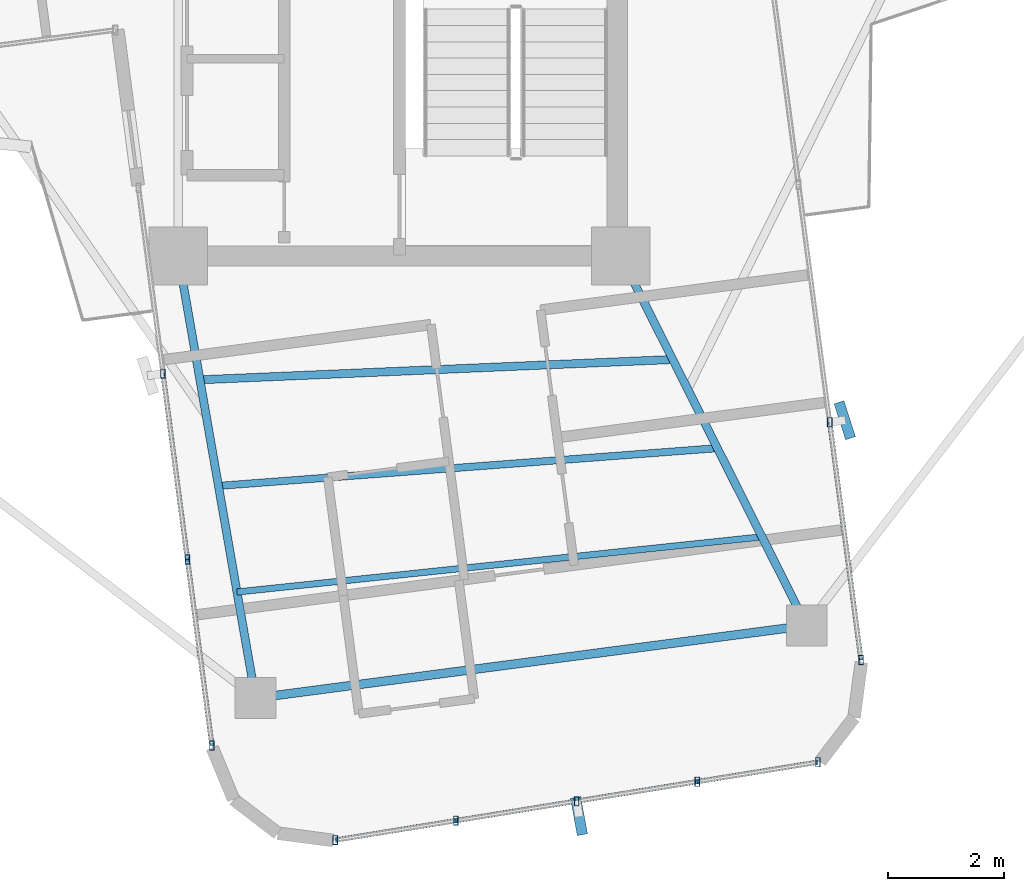
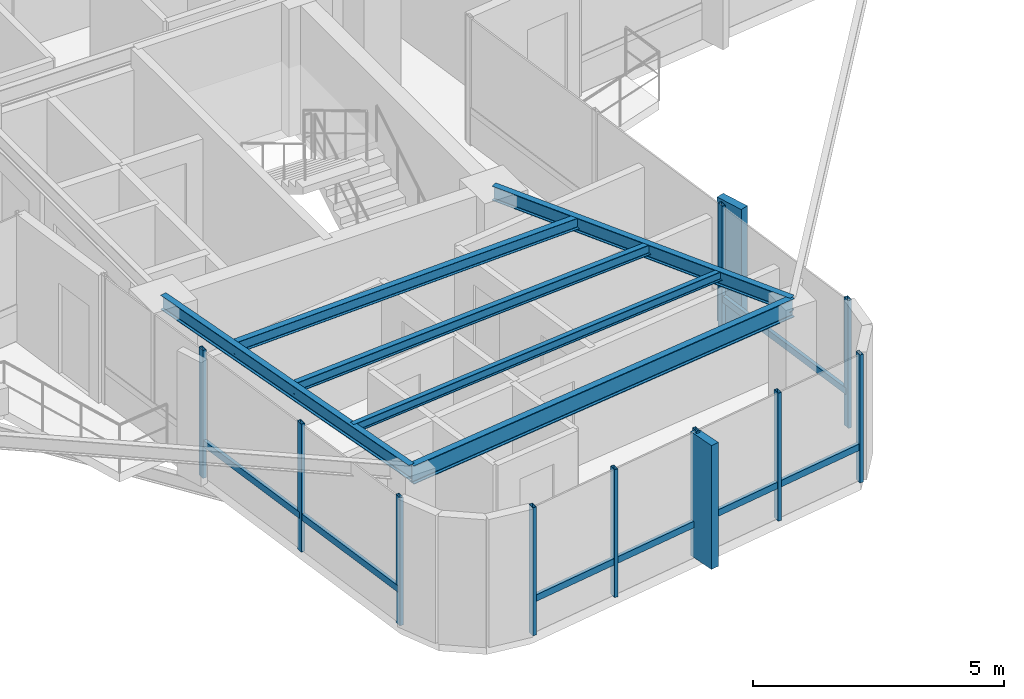
# One storey, part 4 of 22: 19 members, 6 beams, 3 elements without a shape of their own.
"""IFC4 building model written with IfcOpenShell, lengths in metres."""

from ifc_helpers import new_model, si_unit, direction, frame, origin, origin_2d, place, context, subcontext, project, spatial, rectangle, hollow_rectangle, i_section, extrude, source, transform, mapped, material, material_profile, profile_set, type_object, element, aggregate, save


model = new_model("IFC4")

# Units and contexts
model_context = context("Model", 3, precision=1e-05, world=origin(), true_north=direction((0.0, 1.0)))
body_context = subcontext(model_context, "Body", "Model", "MODEL_VIEW")
ifc_project = project(units=[si_unit("LENGTHUNIT", "METRE"), si_unit("AREAUNIT", "SQUARE_METRE"), si_unit("VOLUMEUNIT", "CUBIC_METRE"), si_unit("PLANEANGLEUNIT", "RADIAN"), si_unit("MASSUNIT", "GRAM", prefix="KILO")], contexts=[model_context])

# Site, building, storey
site_placement = place(None, origin())
site = spatial("IfcSite", under=ifc_project, at=site_placement, CompositionType="ELEMENT")
building_placement = place(site_placement, origin())
building = spatial("IfcBuilding", under=site, at=building_placement, Name="Sahyath Konkavel Grand Hotel", CompositionType="ELEMENT")
storey_placement = place(building_placement, frame((0.0, 0.0, 237.800048828125)))
storey = spatial("IfcBuildingStorey", under=building, at=storey_placement, Name="L66", CompositionType="ELEMENT", Elevation=237.800048828125)

# Beams
ifc_material_1 = material(Name="Steel E350", Category="steel")
ifc_material_profile_1 = material_profile(ifc_material_1, i_section(OverallWidth=0.139892578125, OverallDepth=0.35009765625, WebThickness=0.008056640625, FlangeThickness=0.01416015625, FilletRadius=0.013916015625, at=origin_2d()), Name="ISMB 350")
ifc_profile_set_1 = profile_set([ifc_material_profile_1], Name="Steel E350")
beam_type_1 = type_object("IfcBeamType", Name="BM-ISMB350", PredefinedType="BEAM", material=ifc_profile_set_1)
shared_shape_1 = source(origin(), body_context, "Body", "SweptSolid", [
    extrude(i_section(OverallWidth=0.139892578125, OverallDepth=0.35009765625, WebThickness=0.008056640625, FlangeThickness=0.01416015625, FilletRadius=0.013916015625, at=origin_2d()), origin(), (0.0, 0.0, 1.0), 7.710205078125),
])
beam_1_placement = place(storey_placement, frame((-3.800048828125, -10.199951171875, 2.93505859375), z_axis=(0.172065405207, -0.985085527419, 0.0), x_axis=(0.985085527419, 0.172065405207, 0.0)))
element("IfcBeam", 1, at=beam_1_placement, inside=storey, type_object=beam_type_1, Name="L66 Cruciform Radial Girder SA", PredefinedType="BEAM", context=body_context, shape_type="MappedRepresentation", body=[
    mapped(shared_shape_1, transform((0.0, 0.0, 0.0), scale=1.0)),
])
shared_shape_2 = source(origin(), body_context, "Body", "SweptSolid", [
    extrude(i_section(OverallWidth=0.139892578125, OverallDepth=0.35009765625, WebThickness=0.008056640625, FlangeThickness=0.01416015625, FilletRadius=0.013916015625, at=origin_2d()), origin(), (0.0, 0.0, 1.0), 7.107177734375),
])
beam_2_placement = place(storey_placement, frame((3.800048828125, -10.199951171875, 2.93505859375), z_axis=(0.449520510343, -0.893270010008, 0.0), x_axis=(0.893270010008, 0.449520510343, 0.0)))
element("IfcBeam", 2, at=beam_2_placement, inside=storey, type_object=beam_type_1, Name="L66 Cruciform Radial Girder SB", PredefinedType="BEAM", context=body_context, shape_type="MappedRepresentation", body=[
    mapped(shared_shape_2, transform((0.0, 0.0, 0.0), scale=1.0)),
])
ifc_material_profile_2 = material_profile(ifc_material_1, i_section(OverallWidth=0.14990234375, OverallDepth=0.449951171875, WebThickness=0.009521484375, FlangeThickness=0.017333984375, FilletRadius=0.014892578125, at=origin_2d()), Name="ISMB 450")
ifc_profile_set_2 = profile_set([ifc_material_profile_2], Name="Steel E350")
beam_type_2 = type_object("IfcBeamType", Name="BM-ISMB450", PredefinedType="BEAM", material=ifc_profile_set_2)
shared_shape_3 = source(origin(), body_context, "Body", "SweptSolid", [
    extrude(i_section(OverallWidth=0.14990234375, OverallDepth=0.449951171875, WebThickness=0.009521484375, FlangeThickness=0.017333984375, FilletRadius=0.014892578125, at=origin_2d()), origin(), (0.0, 0.0, 1.0), 9.550048828125),
])
beam_3_placement = place(storey_placement, frame((-2.473388671875, -17.795166015625, 2.885009765625), z_axis=(0.991444024889, 0.130532545797, 0.0), x_axis=(-0.130532545797, 0.991444024889, 0.0)))
element("IfcBeam", 3, at=beam_3_placement, inside=storey, type_object=beam_type_2, Name="L66 Wing Tip Edge Beam S", PredefinedType="BEAM", context=body_context, shape_type="MappedRepresentation", body=[
    mapped(shared_shape_3, transform((0.0, 0.0, 0.0), scale=1.0)),
])
ifc_material_profile_3 = material_profile(ifc_material_1, i_section(OverallWidth=0.139892578125, OverallDepth=0.27490234375, WebThickness=0.00634765625, FlangeThickness=0.0087890625, FilletRadius=0.012939453125, at=origin_2d()), Name="ISLB 275")
ifc_profile_set_3 = profile_set([ifc_material_profile_3], Name="Steel E350")
beam_type_3 = type_object("IfcBeamType", Name="BM-ISLB275", PredefinedType="BEAM", material=ifc_profile_set_3)
shared_shape_4 = source(origin(), body_context, "Body", "SweptSolid", [
    extrude(i_section(OverallWidth=0.139892578125, OverallDepth=0.27490234375, WebThickness=0.00634765625, FlangeThickness=0.0087890625, FilletRadius=0.012939453125, at=origin_2d()), origin(), (0.0, 0.0, 1.0), 8.130859375),
])
beam_4_placement = place(storey_placement, frame((-3.4287109375, -12.32666015625, 2.972412109375), z_axis=(0.999077732229, 0.042938152769, 0.0), x_axis=(-0.042938152769, 0.999077732229, 0.0)))
element("IfcBeam", 4, at=beam_4_placement, inside=storey, type_object=beam_type_3, Name="L66 Secondary Floor Beam S-1", PredefinedType="BEAM", context=body_context, shape_type="MappedRepresentation", body=[
    mapped(shared_shape_4, transform((0.0, 0.0, 0.0), scale=1.0)),
])
ifc_material_profile_4 = material_profile(ifc_material_1, i_section(OverallWidth=0.125, OverallDepth=0.25, WebThickness=0.0068359375, FlangeThickness=0.012451171875, FilletRadius=0.012939453125, at=origin_2d()), Name="ISMB 250")
ifc_profile_set_4 = profile_set([ifc_material_profile_4], Name="Steel E350")
beam_type_4 = type_object("IfcBeamType", Name="BM-ISMB250", PredefinedType="BEAM", material=ifc_profile_set_4)
shared_shape_5 = source(origin(), body_context, "Body", "SweptSolid", [
    extrude(i_section(OverallWidth=0.125, OverallDepth=0.25, WebThickness=0.0068359375, FlangeThickness=0.012451171875, FilletRadius=0.012939453125, at=origin_2d()), origin(), (0.0, 0.0, 1.0), 8.595703125),
])
beam_5_placement = place(storey_placement, frame((-3.110107421875, -14.1494140625, 2.98486328125), z_axis=(0.997152728002, 0.075408467952, 0.0), x_axis=(-0.075408467952, 0.997152728002, 0.0)))
element("IfcBeam", 5, at=beam_5_placement, inside=storey, type_object=beam_type_4, Name="L66 Secondary Floor Beam S-2", PredefinedType="BEAM", context=body_context, shape_type="MappedRepresentation", body=[
    mapped(shared_shape_5, transform((0.0, 0.0, 0.0), scale=1.0)),
])
ifc_material_profile_5 = material_profile(ifc_material_1, i_section(OverallWidth=0.110107421875, OverallDepth=0.22509765625, WebThickness=0.006591796875, FlangeThickness=0.01171875, FilletRadius=0.011962890625, at=origin_2d()), Name="ISMB 225")
ifc_profile_set_5 = profile_set([ifc_material_profile_5], Name="Steel E350")
beam_type_5 = type_object("IfcBeamType", Name="BM-ISMB225", PredefinedType="BEAM", material=ifc_profile_set_5)
shared_shape_6 = source(origin(), body_context, "Body", "SweptSolid", [
    extrude(i_section(OverallWidth=0.110107421875, OverallDepth=0.22509765625, WebThickness=0.006591796875, FlangeThickness=0.01171875, FilletRadius=0.011962890625, at=origin_2d()), origin(), (0.0, 0.0, 1.0), 9.0693359375),
])
beam_6_placement = place(storey_placement, frame((-2.791748046875, -15.972412109375, 2.99755859375), z_axis=(0.994527703237, 0.104473190317, 0.0), x_axis=(-0.104473190317, 0.994527703237, 0.0)))
element("IfcBeam", 6, at=beam_6_placement, inside=storey, type_object=beam_type_5, Name="L66 Secondary Floor Beam S-3", PredefinedType="BEAM", context=body_context, shape_type="MappedRepresentation", body=[
    mapped(shared_shape_6, transform((0.0, 0.0, 0.0), scale=1.0)),
])

# Curtain wall, members
ifc_material_2 = material(Name="Anodised Bronze Aluminium & Low-E Glazing", Category="aluminium")
curtain_wall_type = type_object("IfcCurtainWallType", Name="CW-ZONE4", PredefinedType="NOTDEFINED", material=ifc_material_2)
curtain_wall_1_placement = place(storey_placement, origin())
curtain_wall_1 = element("IfcCurtainWall", 7, at=curtain_wall_1_placement, inside=storey, type_object=curtain_wall_type, Name="L66 Unitised Curtain Wall F24", PredefinedType="NOTDEFINED")
ifc_material_3 = material(Name="Anodised Bronze Aluminium", Category="aluminium")
ifc_material_profile_6 = material_profile(ifc_material_3, hollow_rectangle(XDim=0.080078125, YDim=0.159912109375, WallThickness=0.006103515625, at=origin_2d()), Name="RHS 160x80x6")
ifc_profile_set_6 = profile_set([ifc_material_profile_6], Name="Anodised Bronze Aluminium")
member_type_1 = type_object("IfcMemberType", Name="CW-MUL-160", PredefinedType="MULLION", material=ifc_profile_set_6)
shared_shape_7 = source(origin(), body_context, "Body", "SweptSolid", [
    extrude(hollow_rectangle(XDim=0.080078125, YDim=0.159912109375, WallThickness=0.006103515625, at=origin_2d()), origin(), (0.0, 0.0, 1.0), 3.10986328125),
])
member_1_placement = place(storey_placement, frame((-4.064697265625, -12.2216796875, 0.0), z_axis=(0.0, 0.0, 1.0), x_axis=(1.0, 0.0, 0.0)))
member_1 = element("IfcMember", 8, at=member_1_placement, type_object=member_type_1, Name="L66 Curtain Wall Mullion F24-1", PredefinedType="MULLION", context=body_context, shape_type="MappedRepresentation", body=[
    mapped(shared_shape_7, transform((0.0, 0.0, 0.0), scale=1.0)),
])
member_2_placement = place(storey_placement, frame((-3.64404296875, -15.415771484375, 0.0), z_axis=(0.0, 0.0, 1.0), x_axis=(1.0, 0.0, 0.0)))
member_2 = element("IfcMember", 9, at=member_2_placement, type_object=member_type_1, Name="L66 Curtain Wall Mullion F24-2", PredefinedType="MULLION", context=body_context, shape_type="MappedRepresentation", body=[
    mapped(shared_shape_7, transform((0.0, 0.0, 0.0), scale=1.0)),
])
member_3_placement = place(storey_placement, frame((-3.223388671875, -18.60986328125, 0.0), z_axis=(0.0, 0.0, 1.0), x_axis=(1.0, 0.0, 0.0)))
member_3 = element("IfcMember", 10, at=member_3_placement, type_object=member_type_1, Name="L66 Curtain Wall Mullion F24-3", PredefinedType="MULLION", context=body_context, shape_type="MappedRepresentation", body=[
    mapped(shared_shape_7, transform((0.0, 0.0, 0.0), scale=1.0)),
])

curtain_wall_2_placement = place(storey_placement, origin())
curtain_wall_2 = element("IfcCurtainWall", 11, at=curtain_wall_2_placement, inside=storey, type_object=curtain_wall_type, Name="L66 Unitised Curtain Wall F28", PredefinedType="NOTDEFINED")
member_4_placement = place(storey_placement, frame((-1.10302734375, -20.23583984375, 0.0), z_axis=(0.0, 0.0, 1.0), x_axis=(1.0, 0.0, 0.0)))
member_4 = element("IfcMember", 12, at=member_4_placement, type_object=member_type_1, Name="L66 Curtain Wall Mullion F28-0", PredefinedType="MULLION", context=body_context, shape_type="MappedRepresentation", body=[
    mapped(shared_shape_7, transform((0.0, 0.0, 0.0), scale=1.0)),
])
member_5_placement = place(storey_placement, frame((0.9697265625, -19.901123046875, 0.0), z_axis=(0.0, 0.0, 1.0), x_axis=(1.0, 0.0, 0.0)))
member_5 = element("IfcMember", 13, at=member_5_placement, type_object=member_type_1, Name="L66 Curtain Wall Mullion F28-1", PredefinedType="MULLION", context=body_context, shape_type="MappedRepresentation", body=[
    mapped(shared_shape_7, transform((0.0, 0.0, 0.0), scale=1.0)),
])
member_6_placement = place(storey_placement, frame((3.04248046875, -19.56640625, 0.0), z_axis=(0.0, 0.0, 1.0), x_axis=(1.0, 0.0, 0.0)))
member_6 = element("IfcMember", 14, at=member_6_placement, type_object=member_type_1, Name="L66 Curtain Wall Mullion F28-2", PredefinedType="MULLION", context=body_context, shape_type="MappedRepresentation", body=[
    mapped(shared_shape_7, transform((0.0, 0.0, 0.0), scale=1.0)),
])
member_7_placement = place(storey_placement, frame((5.115234375, -19.231689453125, 0.0), z_axis=(0.0, 0.0, 1.0), x_axis=(1.0, 0.0, 0.0)))
member_7 = element("IfcMember", 15, at=member_7_placement, type_object=member_type_1, Name="L66 Curtain Wall Mullion F28-3", PredefinedType="MULLION", context=body_context, shape_type="MappedRepresentation", body=[
    mapped(shared_shape_7, transform((0.0, 0.0, 0.0), scale=1.0)),
])
member_8_placement = place(storey_placement, frame((7.18798828125, -18.896728515625, 0.0), z_axis=(0.0, 0.0, 1.0), x_axis=(1.0, 0.0, 0.0)))
member_8 = element("IfcMember", 16, at=member_8_placement, type_object=member_type_1, Name="L66 Curtain Wall Mullion F28-4", PredefinedType="MULLION", context=body_context, shape_type="MappedRepresentation", body=[
    mapped(shared_shape_7, transform((0.0, 0.0, 0.0), scale=1.0)),
])

curtain_wall_3_placement = place(storey_placement, origin())
curtain_wall_3 = element("IfcCurtainWall", 17, at=curtain_wall_3_placement, inside=storey, type_object=curtain_wall_type, Name="L66 Unitised Curtain Wall F31", PredefinedType="NOTDEFINED")
member_9_placement = place(storey_placement, frame((7.930419921875, -17.1416015625, 0.0), z_axis=(0.0, 0.0, 1.0), x_axis=(1.0, 0.0, 0.0)))
member_9 = element("IfcMember", 18, at=member_9_placement, type_object=member_type_1, Name="L66 Curtain Wall Mullion F31-0", PredefinedType="MULLION", context=body_context, shape_type="MappedRepresentation", body=[
    mapped(shared_shape_7, transform((0.0, 0.0, 0.0), scale=1.0)),
])
member_10_placement = place(storey_placement, frame((7.392333984375, -13.05517578125, 0.0), z_axis=(0.0, 0.0, 1.0), x_axis=(1.0, 0.0, 0.0)))
member_10 = element("IfcMember", 19, at=member_10_placement, type_object=member_type_1, Name="L66 Curtain Wall Mullion F31-1", PredefinedType="MULLION", context=body_context, shape_type="MappedRepresentation", body=[
    mapped(shared_shape_7, transform((0.0, 0.0, 0.0), scale=1.0)),
])

# Member
ifc_material_4 = material(Name="Warm Buff Sandstone Cladding on Concrete C50/60", Category="masonry")
ifc_material_profile_7 = material_profile(ifc_material_4, rectangle(XDim=0.179931640625, YDim=0.64990234375, at=origin_2d()), Name="FIN 180x650")
ifc_profile_set_7 = profile_set([ifc_material_profile_7], Name="Warm Buff Sandstone Cladding on Concrete C50/60")
member_type_2 = type_object("IfcMemberType", Name="FIN-SANDSTONE-650", PredefinedType="MULLION", material=ifc_profile_set_7)
shared_shape_8 = source(origin(), body_context, "Body", "SweptSolid", [
    extrude(rectangle(XDim=0.179931640625, YDim=0.64990234375, at=origin_2d()), origin(), (0.0, 0.0, 1.0), 3.010009765625),
])
member_11_placement = place(storey_placement, frame((3.083984375, -19.822998046875, 0.050048828125), z_axis=(0.0, 0.0, 1.0), x_axis=(0.98372862895, 0.179660748593, 0.0)))
member_11 = element("IfcMember", 20, at=member_11_placement, type_object=member_type_2, Name="L66 Sandstone Vertical Solar Fin FIN F28-2", PredefinedType="MULLION", context=body_context, shape_type="MappedRepresentation", body=[
    mapped(shared_shape_8, transform((0.0, 0.0, 0.0), scale=1.0)),
])

member_12_placement = place(storey_placement, frame((7.650146484375, -13.021240234375, 0.050048828125), z_axis=(0.0, 0.0, 1.0), x_axis=(0.952502159334, 0.304531831612, 0.0)))
member_12 = element("IfcMember", 21, at=member_12_placement, type_object=member_type_2, Name="L66 Sandstone Vertical Solar Fin FIN F31-1", PredefinedType="MULLION", context=body_context, shape_type="MappedRepresentation", body=[
    mapped(shared_shape_8, transform((0.0, 0.0, 0.0), scale=1.0)),
])

ifc_material_profile_8 = material_profile(ifc_material_3, hollow_rectangle(XDim=0.080078125, YDim=0.159912109375, WallThickness=0.006103515625, at=origin_2d()), Name="RHS 160x80x6")
ifc_profile_set_8 = profile_set([ifc_material_profile_8], Name="Anodised Bronze Aluminium")
member_type_3 = type_object("IfcMemberType", Name="CW-TRN-160", PredefinedType="USERDEFINED", material=ifc_profile_set_8)
shared_shape_9 = source(origin(), body_context, "Body", "SweptSolid", [
    extrude(hollow_rectangle(XDim=0.080078125, YDim=0.159912109375, WallThickness=0.006103515625, at=origin_2d()), origin(), (0.0, 0.0, 1.0), 3.2216796875),
])
member_13_placement = place(storey_placement, frame((-4.064697265625, -12.2216796875, 0.849853515625), z_axis=(0.130570168838, -0.99143907075, 0.0), x_axis=(0.99143907075, 0.130570168838, 0.0)))
member_13 = element("IfcMember", 22, at=member_13_placement, type_object=member_type_3, Name="L66 Curtain Wall Transom F24-1-spandrel", ObjectType="TRANSOM", PredefinedType="USERDEFINED", context=body_context, shape_type="MappedRepresentation", body=[
    mapped(shared_shape_9, transform((0.0, 0.0, 0.0), scale=1.0)),
])

member_14_placement = place(storey_placement, frame((-3.64404296875, -15.415771484375, 0.849853515625), z_axis=(0.130570168838, -0.99143907075, 0.0), x_axis=(0.99143907075, 0.130570168838, 0.0)))
member_14 = element("IfcMember", 23, at=member_14_placement, type_object=member_type_3, Name="L66 Curtain Wall Transom F24-2-spandrel", ObjectType="TRANSOM", PredefinedType="USERDEFINED", context=body_context, shape_type="MappedRepresentation", body=[
    mapped(shared_shape_9, transform((0.0, 0.0, 0.0), scale=1.0)),
])

aggregate(curtain_wall_1, [member_1, member_2, member_3, member_13, member_14])

shared_shape_10 = source(origin(), body_context, "Body", "SweptSolid", [
    extrude(hollow_rectangle(XDim=0.080078125, YDim=0.159912109375, WallThickness=0.006103515625, at=origin_2d()), origin(), (0.0, 0.0, 1.0), 2.099609375),
])
member_15_placement = place(storey_placement, frame((-1.10302734375, -20.23583984375, 0.849853515625), z_axis=(0.987211030881, 0.159418883785, 0.0), x_axis=(-0.159418883785, 0.987211030881, 0.0)))
member_15 = element("IfcMember", 24, at=member_15_placement, type_object=member_type_3, Name="L66 Curtain Wall Transom F28-0-spandrel", ObjectType="TRANSOM", PredefinedType="USERDEFINED", context=body_context, shape_type="MappedRepresentation", body=[
    mapped(shared_shape_10, transform((0.0, 0.0, 0.0), scale=1.0)),
])

member_16_placement = place(storey_placement, frame((0.9697265625, -19.901123046875, 0.849853515625), z_axis=(0.987211030881, 0.159418883785, 0.0), x_axis=(-0.159418883785, 0.987211030881, 0.0)))
member_16 = element("IfcMember", 25, at=member_16_placement, type_object=member_type_3, Name="L66 Curtain Wall Transom F28-1-spandrel", ObjectType="TRANSOM", PredefinedType="USERDEFINED", context=body_context, shape_type="MappedRepresentation", body=[
    mapped(shared_shape_10, transform((0.0, 0.0, 0.0), scale=1.0)),
])

member_17_placement = place(storey_placement, frame((3.04248046875, -19.56640625, 0.849853515625), z_axis=(0.987211030881, 0.159418883785, 0.0), x_axis=(-0.159418883785, 0.987211030881, 0.0)))
member_17 = element("IfcMember", 26, at=member_17_placement, type_object=member_type_3, Name="L66 Curtain Wall Transom F28-2-spandrel", ObjectType="TRANSOM", PredefinedType="USERDEFINED", context=body_context, shape_type="MappedRepresentation", body=[
    mapped(shared_shape_10, transform((0.0, 0.0, 0.0), scale=1.0)),
])

member_18_placement = place(storey_placement, frame((5.115234375, -19.231689453125, 0.849853515625), z_axis=(0.987192724675, 0.159532204741, 0.0), x_axis=(-0.159532204741, 0.987192724675, 0.0)))
member_18 = element("IfcMember", 27, at=member_18_placement, type_object=member_type_3, Name="L66 Curtain Wall Transom F28-3-spandrel", ObjectType="TRANSOM", PredefinedType="USERDEFINED", context=body_context, shape_type="MappedRepresentation", body=[
    mapped(shared_shape_10, transform((0.0, 0.0, 0.0), scale=1.0)),
])

aggregate(curtain_wall_2, [member_4, member_5, member_6, member_11, member_7, member_8, member_15, member_16, member_17, member_18])

shared_shape_11 = source(origin(), body_context, "Body", "SweptSolid", [
    extrude(hollow_rectangle(XDim=0.080078125, YDim=0.159912109375, WallThickness=0.006103515625, at=origin_2d()), origin(), (0.0, 0.0, 1.0), 4.12158203125),
])
member_19_placement = place(storey_placement, frame((7.930419921875, -17.1416015625, 0.849853515625), z_axis=(-0.13054951056, 0.991441791177, 0.0), x_axis=(-0.991441791177, -0.13054951056, 0.0)))
member_19 = element("IfcMember", 28, at=member_19_placement, type_object=member_type_3, Name="L66 Curtain Wall Transom F31-0-spandrel", ObjectType="TRANSOM", PredefinedType="USERDEFINED", context=body_context, shape_type="MappedRepresentation", body=[
    mapped(shared_shape_11, transform((0.0, 0.0, 0.0), scale=1.0)),
])

aggregate(curtain_wall_3, [member_9, member_10, member_12, member_19])

save(model, "model.ifc")
